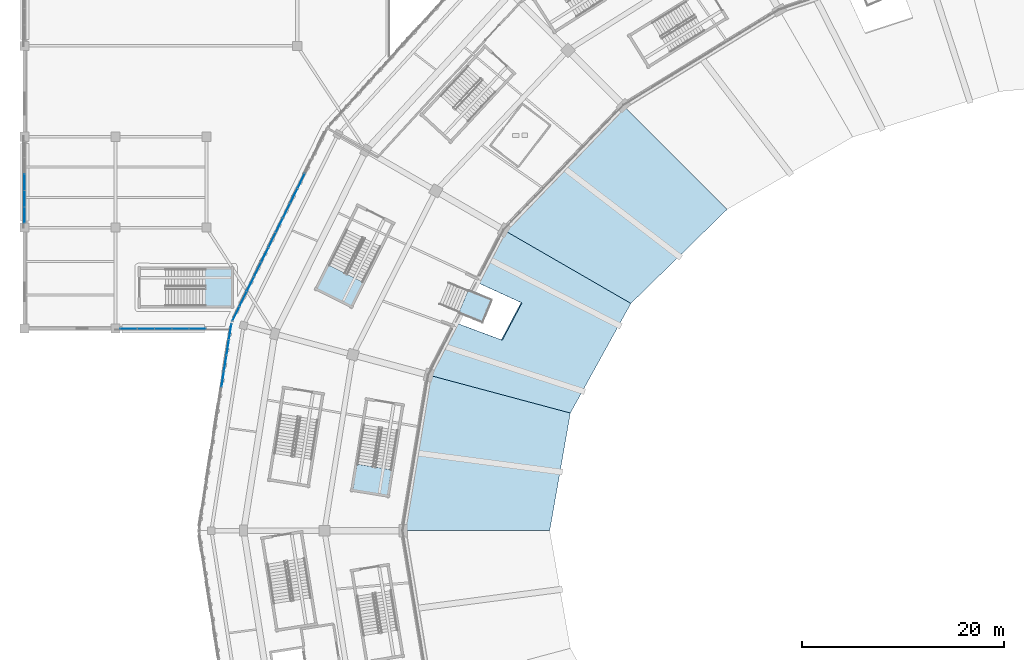
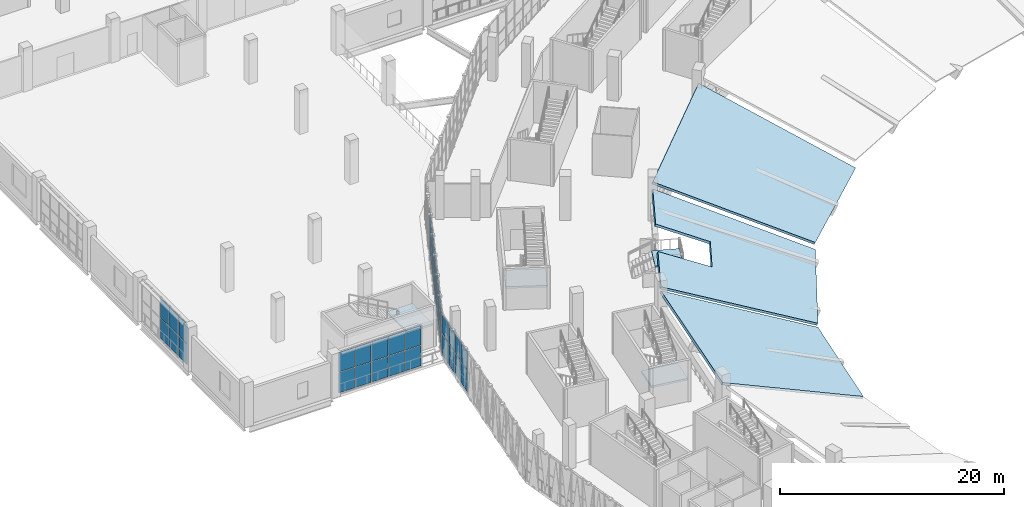
# One storey, part 78 of 183: 44 plates, 7 slabs, 8 elements without a shape of their own.
"""IFC4 building model written with IfcOpenShell, lengths in metres."""

from ifc_helpers import new_model, si_unit, direction, frame, origin, origin_2d, place, context, subcontext, project, spatial, polyline, rectangle, outline, extrude, material, layer, layer_set, type_object, element, aggregate, save


model = new_model("IFC4")

# Units and contexts
model_context = context("Model", 3, precision=1e-05, world=origin(), true_north=direction((0.0, 1.0)))
body_context = subcontext(model_context, "Body", "Model", "MODEL_VIEW")
ifc_project = project(units=[si_unit("LENGTHUNIT", "METRE"), si_unit("AREAUNIT", "SQUARE_METRE"), si_unit("VOLUMEUNIT", "CUBIC_METRE"), si_unit("PLANEANGLEUNIT", "RADIAN"), si_unit("MASSUNIT", "GRAM", prefix="KILO")], contexts=[model_context])

# Site, building, storey
site_placement = place(None, origin())
site = spatial("IfcSite", under=ifc_project, at=site_placement, CompositionType="ELEMENT")
building_placement = place(site_placement, origin())
building = spatial("IfcBuilding", under=site, at=building_placement, Name="Zevraka Park Crest Stadium", CompositionType="ELEMENT")
storey_placement = place(building_placement, frame((0.0, 0.0, 5.39990234375)))
storey = spatial("IfcBuildingStorey", under=building, at=storey_placement, Name="L01", CompositionType="ELEMENT", Elevation=5.39990234375)

# Curtain wall, plates
ifc_material_1 = material(Name="Anodised architectural aluminium and laminated safety glass", Category="aluminium")
curtain_wall_type_1 = type_object("IfcCurtainWallType", Name="CW01", PredefinedType="NOTDEFINED", material=ifc_material_1)
curtain_wall_1_placement = place(storey_placement, origin())
curtain_wall_1 = element("IfcCurtainWall", 1, at=curtain_wall_1_placement, inside=storey, type_object=curtain_wall_type_1, Name="Unitised Ring Curtain Wall CW01 L01-11", PredefinedType="NOTDEFINED")
ifc_material_2 = material(Name="Solar-control laminated double glazing", Category="glass")
ifc_layer_1 = layer(ifc_material_2, 0.028076171875)
ifc_layer_set_1 = layer_set([ifc_layer_1], Name="Solar-control laminated double glazing")
plate_type_1 = type_object("IfcPlateType", Name="CP01", PredefinedType="CURTAIN_PANEL", material=ifc_layer_set_1)
plate_1_placement = place(storey_placement, frame((20.362060546875, 111.704345703125, 0.06005859375), z_axis=(0.0, 0.0, 1.0), x_axis=(-0.154475977394, -0.987996544735, 0.0)))
plate_1 = element("IfcPlate", 2, at=plate_1_placement, type_object=plate_type_1, Name="CW01 panel 1.1", PredefinedType="CURTAIN_PANEL", context=body_context, shape_type="SweptSolid", body=[
    extrude(rectangle(XDim=1.49658203125, YDim=0.028076171875, at=origin_2d()), origin(), (0.0, 0.0, 1.0), 2.31005859375),
])
plate_2_placement = place(storey_placement, frame((20.362060546875, 111.704345703125, 2.43017578125), z_axis=(0.0, 0.0, 1.0), x_axis=(-0.154475977394, -0.987996544735, 0.0)))
plate_2 = element("IfcPlate", 3, at=plate_2_placement, type_object=plate_type_1, Name="CW01 panel 1.2", PredefinedType="CURTAIN_PANEL", context=body_context, shape_type="SweptSolid", body=[
    extrude(rectangle(XDim=1.49658203125, YDim=0.028076171875, at=origin_2d()), origin(), (0.0, 0.0, 1.0), 2.030029296875),
])
plate_3_placement = place(storey_placement, frame((20.119384765625, 110.15185546875, 0.06005859375), z_axis=(0.0, 0.0, 1.0), x_axis=(-0.154475977394, -0.987996544735, 0.0)))
plate_3 = element("IfcPlate", 4, at=plate_3_placement, type_object=plate_type_1, Name="CW01 panel 2.1", PredefinedType="CURTAIN_PANEL", context=body_context, shape_type="SweptSolid", body=[
    extrude(rectangle(XDim=1.526611328125, YDim=0.028076171875, at=origin_2d()), origin(), (0.0, 0.0, 1.0), 2.31005859375),
])
plate_4_placement = place(storey_placement, frame((20.119384765625, 110.15185546875, 2.43017578125), z_axis=(0.0, 0.0, 1.0), x_axis=(-0.154475977394, -0.987996544735, 0.0)))
plate_4 = element("IfcPlate", 5, at=plate_4_placement, type_object=plate_type_1, Name="CW01 panel 2.2", PredefinedType="CURTAIN_PANEL", context=body_context, shape_type="SweptSolid", body=[
    extrude(rectangle(XDim=1.526611328125, YDim=0.028076171875, at=origin_2d()), origin(), (0.0, 0.0, 1.0), 2.030029296875),
])
plate_5_placement = place(storey_placement, frame((19.874267578125, 108.584228515625, 0.06005859375), z_axis=(0.0, 0.0, 1.0), x_axis=(-0.154475977394, -0.987996544735, 0.0)))
plate_5 = element("IfcPlate", 6, at=plate_5_placement, type_object=plate_type_1, Name="CW01 panel 3.1", PredefinedType="CURTAIN_PANEL", context=body_context, shape_type="SweptSolid", body=[
    extrude(rectangle(XDim=1.526611328125, YDim=0.028076171875, at=origin_2d()), origin(), (0.0, 0.0, 1.0), 2.31005859375),
])
plate_6_placement = place(storey_placement, frame((19.874267578125, 108.584228515625, 2.43017578125), z_axis=(0.0, 0.0, 1.0), x_axis=(-0.154475977394, -0.987996544735, 0.0)))
plate_6 = element("IfcPlate", 7, at=plate_6_placement, type_object=plate_type_1, Name="CW01 panel 3.2", PredefinedType="CURTAIN_PANEL", context=body_context, shape_type="SweptSolid", body=[
    extrude(rectangle(XDim=1.526611328125, YDim=0.028076171875, at=origin_2d()), origin(), (0.0, 0.0, 1.0), 2.030029296875),
])
plate_7_placement = place(storey_placement, frame((19.629150390625, 107.016845703125, 0.06005859375), z_axis=(0.0, 0.0, 1.0), x_axis=(-0.154475977394, -0.987996544735, 0.0)))
plate_7 = element("IfcPlate", 8, at=plate_7_placement, type_object=plate_type_1, Name="CW01 panel 4.1", PredefinedType="CURTAIN_PANEL", context=body_context, shape_type="SweptSolid", body=[
    extrude(rectangle(XDim=1.526611328125, YDim=0.028076171875, at=origin_2d()), origin(), (0.0, 0.0, 1.0), 2.31005859375),
])
plate_8_placement = place(storey_placement, frame((19.629150390625, 107.016845703125, 2.43017578125), z_axis=(0.0, 0.0, 1.0), x_axis=(-0.154475977394, -0.987996544735, 0.0)))
plate_8 = element("IfcPlate", 9, at=plate_8_placement, type_object=plate_type_1, Name="CW01 panel 4.2", PredefinedType="CURTAIN_PANEL", context=body_context, shape_type="SweptSolid", body=[
    extrude(rectangle(XDim=1.526611328125, YDim=0.028076171875, at=origin_2d()), origin(), (0.0, 0.0, 1.0), 2.030029296875),
])
aggregate(curtain_wall_1, [plate_1, plate_2, plate_3, plate_4, plate_5, plate_6, plate_7, plate_8])

ifc_material_3 = material(Name="Anodised architectural aluminium and laminated safety glass", Category="aluminium")
curtain_wall_type_2 = type_object("IfcCurtainWallType", Name="CW02", PredefinedType="NOTDEFINED", material=ifc_material_3)
curtain_wall_2_placement = place(storey_placement, origin())
curtain_wall_2 = element("IfcCurtainWall", 10, at=curtain_wall_2_placement, inside=storey, type_object=curtain_wall_type_2, Name="Unitised Ring Curtain Wall CW02 L01-10", PredefinedType="NOTDEFINED")
ifc_material_4 = material(Name="Solar-control laminated double glazing", Category="glass")
ifc_layer_2 = layer(ifc_material_4, 0.028076171875)
ifc_layer_set_2 = layer_set([ifc_layer_2], Name="Solar-control laminated double glazing")
plate_type_2 = type_object("IfcPlateType", Name="CP02", PredefinedType="CURTAIN_PANEL", material=ifc_layer_set_2)
plate_9_placement = place(storey_placement, frame((27.39453125, 126.625, 0.06494140625), z_axis=(0.0, 0.0, 1.0), x_axis=(-0.44151730924, -0.897252732312, 0.0)))
plate_9 = element("IfcPlate", 11, at=plate_9_placement, type_object=plate_type_2, Name="CW02 panel 4.1", PredefinedType="CURTAIN_PANEL", context=body_context, shape_type="SweptSolid", body=[
    extrude(rectangle(XDim=1.5634765625, YDim=0.028076171875, at=origin_2d()), origin(), (0.0, 0.0, 1.0), 2.302490234375),
])
plate_10_placement = place(storey_placement, frame((27.39453125, 126.625, 2.4326171875), z_axis=(0.0, 0.0, 1.0), x_axis=(-0.44151730924, -0.897252732312, 0.0)))
plate_10 = element("IfcPlate", 12, at=plate_10_placement, type_object=plate_type_2, Name="CW02 panel 4.2", PredefinedType="CURTAIN_PANEL", context=body_context, shape_type="SweptSolid", body=[
    extrude(rectangle(XDim=1.5634765625, YDim=0.028076171875, at=origin_2d()), origin(), (0.0, 0.0, 1.0), 2.0224609375),
])
plate_11_placement = place(storey_placement, frame((26.675537109375, 125.163818359375, 0.06494140625), z_axis=(0.0, 0.0, 1.0), x_axis=(-0.44151730924, -0.897252732312, 0.0)))
plate_11 = element("IfcPlate", 13, at=plate_11_placement, type_object=plate_type_2, Name="CW02 panel 5.1", PredefinedType="CURTAIN_PANEL", context=body_context, shape_type="SweptSolid", body=[
    extrude(rectangle(XDim=1.5634765625, YDim=0.028076171875, at=origin_2d()), origin(), (0.0, 0.0, 1.0), 2.302490234375),
])
plate_12_placement = place(storey_placement, frame((26.675537109375, 125.163818359375, 2.4326171875), z_axis=(0.0, 0.0, 1.0), x_axis=(-0.44151730924, -0.897252732312, 0.0)))
plate_12 = element("IfcPlate", 14, at=plate_12_placement, type_object=plate_type_2, Name="CW02 panel 5.2", PredefinedType="CURTAIN_PANEL", context=body_context, shape_type="SweptSolid", body=[
    extrude(rectangle(XDim=1.5634765625, YDim=0.028076171875, at=origin_2d()), origin(), (0.0, 0.0, 1.0), 2.0224609375),
])
plate_13_placement = place(storey_placement, frame((25.95654296875, 123.70263671875, 0.06494140625), z_axis=(0.0, 0.0, 1.0), x_axis=(-0.44151730924, -0.897252732312, 0.0)))
plate_13 = element("IfcPlate", 15, at=plate_13_placement, type_object=plate_type_2, Name="CW02 panel 6.1", PredefinedType="CURTAIN_PANEL", context=body_context, shape_type="SweptSolid", body=[
    extrude(rectangle(XDim=1.5634765625, YDim=0.028076171875, at=origin_2d()), origin(), (0.0, 0.0, 1.0), 2.302490234375),
])
plate_14_placement = place(storey_placement, frame((25.95654296875, 123.70263671875, 2.4326171875), z_axis=(0.0, 0.0, 1.0), x_axis=(-0.44151730924, -0.897252732312, 0.0)))
plate_14 = element("IfcPlate", 16, at=plate_14_placement, type_object=plate_type_2, Name="CW02 panel 6.2", PredefinedType="CURTAIN_PANEL", context=body_context, shape_type="SweptSolid", body=[
    extrude(rectangle(XDim=1.5634765625, YDim=0.028076171875, at=origin_2d()), origin(), (0.0, 0.0, 1.0), 2.0224609375),
])
plate_15_placement = place(storey_placement, frame((25.237548828125, 122.241455078125, 0.06494140625), z_axis=(0.0, 0.0, 1.0), x_axis=(-0.44151730924, -0.897252732312, 0.0)))
plate_15 = element("IfcPlate", 17, at=plate_15_placement, type_object=plate_type_2, Name="CW02 panel 7.1", PredefinedType="CURTAIN_PANEL", context=body_context, shape_type="SweptSolid", body=[
    extrude(rectangle(XDim=1.5634765625, YDim=0.028076171875, at=origin_2d()), origin(), (0.0, 0.0, 1.0), 2.302490234375),
])
plate_16_placement = place(storey_placement, frame((25.237548828125, 122.241455078125, 2.4326171875), z_axis=(0.0, 0.0, 1.0), x_axis=(-0.44151730924, -0.897252732312, 0.0)))
plate_16 = element("IfcPlate", 18, at=plate_16_placement, type_object=plate_type_2, Name="CW02 panel 7.2", PredefinedType="CURTAIN_PANEL", context=body_context, shape_type="SweptSolid", body=[
    extrude(rectangle(XDim=1.5634765625, YDim=0.028076171875, at=origin_2d()), origin(), (0.0, 0.0, 1.0), 2.0224609375),
])
plate_17_placement = place(storey_placement, frame((24.5185546875, 120.7802734375, 0.06494140625), z_axis=(0.0, 0.0, 1.0), x_axis=(-0.44151730924, -0.897252732312, 0.0)))
plate_17 = element("IfcPlate", 19, at=plate_17_placement, type_object=plate_type_2, Name="CW02 panel 8.1", PredefinedType="CURTAIN_PANEL", context=body_context, shape_type="SweptSolid", body=[
    extrude(rectangle(XDim=1.5634765625, YDim=0.028076171875, at=origin_2d()), origin(), (0.0, 0.0, 1.0), 2.302490234375),
])
plate_18_placement = place(storey_placement, frame((24.5185546875, 120.7802734375, 2.4326171875), z_axis=(0.0, 0.0, 1.0), x_axis=(-0.44151730924, -0.897252732312, 0.0)))
plate_18 = element("IfcPlate", 20, at=plate_18_placement, type_object=plate_type_2, Name="CW02 panel 8.2", PredefinedType="CURTAIN_PANEL", context=body_context, shape_type="SweptSolid", body=[
    extrude(rectangle(XDim=1.5634765625, YDim=0.028076171875, at=origin_2d()), origin(), (0.0, 0.0, 1.0), 2.0224609375),
])
plate_19_placement = place(storey_placement, frame((23.799560546875, 119.319091796875, 0.06494140625), z_axis=(0.0, 0.0, 1.0), x_axis=(-0.44151730924, -0.897252732312, 0.0)))
plate_19 = element("IfcPlate", 21, at=plate_19_placement, type_object=plate_type_2, Name="CW02 panel 9.1", PredefinedType="CURTAIN_PANEL", context=body_context, shape_type="SweptSolid", body=[
    extrude(rectangle(XDim=1.5634765625, YDim=0.028076171875, at=origin_2d()), origin(), (0.0, 0.0, 1.0), 2.302490234375),
])
plate_20_placement = place(storey_placement, frame((23.799560546875, 119.319091796875, 2.4326171875), z_axis=(0.0, 0.0, 1.0), x_axis=(-0.44151730924, -0.897252732312, 0.0)))
plate_20 = element("IfcPlate", 22, at=plate_20_placement, type_object=plate_type_2, Name="CW02 panel 9.2", PredefinedType="CURTAIN_PANEL", context=body_context, shape_type="SweptSolid", body=[
    extrude(rectangle(XDim=1.5634765625, YDim=0.028076171875, at=origin_2d()), origin(), (0.0, 0.0, 1.0), 2.0224609375),
])
plate_21_placement = place(storey_placement, frame((23.08056640625, 117.858154296875, 0.06494140625), z_axis=(0.0, 0.0, 1.0), x_axis=(-0.44151730924, -0.897252732312, 0.0)))
plate_21 = element("IfcPlate", 23, at=plate_21_placement, type_object=plate_type_2, Name="CW02 panel 10.1", PredefinedType="CURTAIN_PANEL", context=body_context, shape_type="SweptSolid", body=[
    extrude(rectangle(XDim=1.5634765625, YDim=0.028076171875, at=origin_2d()), origin(), (0.0, 0.0, 1.0), 2.302490234375),
])
plate_22_placement = place(storey_placement, frame((23.08056640625, 117.858154296875, 2.4326171875), z_axis=(0.0, 0.0, 1.0), x_axis=(-0.44151730924, -0.897252732312, 0.0)))
plate_22 = element("IfcPlate", 24, at=plate_22_placement, type_object=plate_type_2, Name="CW02 panel 10.2", PredefinedType="CURTAIN_PANEL", context=body_context, shape_type="SweptSolid", body=[
    extrude(rectangle(XDim=1.5634765625, YDim=0.028076171875, at=origin_2d()), origin(), (0.0, 0.0, 1.0), 2.0224609375),
])
plate_23_placement = place(storey_placement, frame((22.361572265625, 116.39697265625, 0.06494140625), z_axis=(0.0, 0.0, 1.0), x_axis=(-0.44151730924, -0.897252732312, 0.0)))
plate_23 = element("IfcPlate", 25, at=plate_23_placement, type_object=plate_type_2, Name="CW02 panel 11.1", PredefinedType="CURTAIN_PANEL", context=body_context, shape_type="SweptSolid", body=[
    extrude(rectangle(XDim=1.5634765625, YDim=0.028076171875, at=origin_2d()), origin(), (0.0, 0.0, 1.0), 2.302490234375),
])
plate_24_placement = place(storey_placement, frame((22.361572265625, 116.39697265625, 2.4326171875), z_axis=(0.0, 0.0, 1.0), x_axis=(-0.44151730924, -0.897252732312, 0.0)))
plate_24 = element("IfcPlate", 26, at=plate_24_placement, type_object=plate_type_2, Name="CW02 panel 11.2", PredefinedType="CURTAIN_PANEL", context=body_context, shape_type="SweptSolid", body=[
    extrude(rectangle(XDim=1.5634765625, YDim=0.028076171875, at=origin_2d()), origin(), (0.0, 0.0, 1.0), 2.0224609375),
])
plate_25_placement = place(storey_placement, frame((21.642578125, 114.935791015625, 0.06494140625), z_axis=(0.0, 0.0, 1.0), x_axis=(-0.44151730924, -0.897252732312, 0.0)))
plate_25 = element("IfcPlate", 27, at=plate_25_placement, type_object=plate_type_2, Name="CW02 panel 12.1", PredefinedType="CURTAIN_PANEL", context=body_context, shape_type="SweptSolid", body=[
    extrude(rectangle(XDim=1.5634765625, YDim=0.028076171875, at=origin_2d()), origin(), (0.0, 0.0, 1.0), 2.302490234375),
])
plate_26_placement = place(storey_placement, frame((21.642578125, 114.935791015625, 2.4326171875), z_axis=(0.0, 0.0, 1.0), x_axis=(-0.44151730924, -0.897252732312, 0.0)))
plate_26 = element("IfcPlate", 28, at=plate_26_placement, type_object=plate_type_2, Name="CW02 panel 12.2", PredefinedType="CURTAIN_PANEL", context=body_context, shape_type="SweptSolid", body=[
    extrude(rectangle(XDim=1.5634765625, YDim=0.028076171875, at=origin_2d()), origin(), (0.0, 0.0, 1.0), 2.0224609375),
])
plate_27_placement = place(storey_placement, frame((20.9306640625, 113.4892578125, 0.06494140625), z_axis=(0.0, 0.0, 1.0), x_axis=(-0.44151730924, -0.897252732312, 0.0)))
plate_27 = element("IfcPlate", 29, at=plate_27_placement, type_object=plate_type_2, Name="CW02 panel 13.1", PredefinedType="CURTAIN_PANEL", context=body_context, shape_type="SweptSolid", body=[
    extrude(rectangle(XDim=1.531005859375, YDim=0.028076171875, at=origin_2d()), origin(), (0.0, 0.0, 1.0), 2.302490234375),
])
plate_28_placement = place(storey_placement, frame((20.9306640625, 113.4892578125, 2.4326171875), z_axis=(0.0, 0.0, 1.0), x_axis=(-0.44151730924, -0.897252732312, 0.0)))
plate_28 = element("IfcPlate", 30, at=plate_28_placement, type_object=plate_type_2, Name="CW02 panel 13.2", PredefinedType="CURTAIN_PANEL", context=body_context, shape_type="SweptSolid", body=[
    extrude(rectangle(XDim=1.531005859375, YDim=0.028076171875, at=origin_2d()), origin(), (0.0, 0.0, 1.0), 2.0224609375),
])
aggregate(curtain_wall_2, [plate_9, plate_10, plate_11, plate_12, plate_13, plate_14, plate_15, plate_16, plate_17, plate_18, plate_19, plate_20, plate_21, plate_22, plate_23, plate_24, plate_25, plate_26, plate_27, plate_28])

ifc_material_5 = material(Name="Anodised architectural aluminium and laminated safety glass", Category="aluminium")
curtain_wall_type_3 = type_object("IfcCurtainWallType", Name="CW28", PredefinedType="NOTDEFINED", material=ifc_material_5)
curtain_wall_3_placement = place(storey_placement, origin())
curtain_wall_3 = element("IfcCurtainWall", 31, at=curtain_wall_3_placement, inside=storey, type_object=curtain_wall_type_3, Name="Wing Curtain Wall CW28 L01-NW-W-2", PredefinedType="NOTDEFINED")
ifc_material_6 = material(Name="Solar-control laminated double glazing", Category="glass")
ifc_layer_3 = layer(ifc_material_6, 0.035888671875)
ifc_layer_set_3 = layer_set([ifc_layer_3], Name="Solar-control laminated double glazing")
plate_type_3 = type_object("IfcPlateType", Name="CP28", PredefinedType="CURTAIN_PANEL", material=ifc_layer_set_3)
plate_29_placement = place(storey_placement, frame((0.0, 123.26708984375, 0.06005859375), z_axis=(0.0, 0.0, 1.0), x_axis=(0.0, 1.0, 0.0)))
plate_29 = element("IfcPlate", 32, at=plate_29_placement, type_object=plate_type_3, Name="CW28 panel 1.1", PredefinedType="CURTAIN_PANEL", context=body_context, shape_type="SweptSolid", body=[
    extrude(rectangle(XDim=1.533935546875, YDim=0.035888671875, at=origin_2d()), origin(), (0.0, 0.0, 1.0), 2.2099609375),
])
plate_30_placement = place(storey_placement, frame((0.0, 123.26708984375, 2.330078125), z_axis=(0.0, 0.0, 1.0), x_axis=(0.0, 1.0, 0.0)))
plate_30 = element("IfcPlate", 33, at=plate_30_placement, type_object=plate_type_3, Name="CW28 panel 1.2", PredefinedType="CURTAIN_PANEL", context=body_context, shape_type="SweptSolid", body=[
    extrude(rectangle(XDim=1.533935546875, YDim=0.035888671875, at=origin_2d()), origin(), (0.0, 0.0, 1.0), 2.1298828125),
])
plate_31_placement = place(storey_placement, frame((0.0, 124.8759765625, 0.06005859375), z_axis=(0.0, 0.0, 1.0), x_axis=(0.0, 1.0, 0.0)))
plate_31 = element("IfcPlate", 34, at=plate_31_placement, type_object=plate_type_3, Name="CW28 panel 2.1", PredefinedType="CURTAIN_PANEL", context=body_context, shape_type="SweptSolid", body=[
    extrude(rectangle(XDim=1.56396484375, YDim=0.035888671875, at=origin_2d()), origin(), (0.0, 0.0, 1.0), 2.2099609375),
])
plate_32_placement = place(storey_placement, frame((0.0, 124.8759765625, 2.330078125), z_axis=(0.0, 0.0, 1.0), x_axis=(0.0, 1.0, 0.0)))
plate_32 = element("IfcPlate", 35, at=plate_32_placement, type_object=plate_type_3, Name="CW28 panel 2.2", PredefinedType="CURTAIN_PANEL", context=body_context, shape_type="SweptSolid", body=[
    extrude(rectangle(XDim=1.56396484375, YDim=0.035888671875, at=origin_2d()), origin(), (0.0, 0.0, 1.0), 2.1298828125),
])
plate_33_placement = place(storey_placement, frame((0.0, 126.5, 0.06005859375), z_axis=(0.0, 0.0, 1.0), x_axis=(0.0, 1.0, 0.0)))
plate_33 = element("IfcPlate", 36, at=plate_33_placement, type_object=plate_type_3, Name="CW28 panel 3.1", PredefinedType="CURTAIN_PANEL", context=body_context, shape_type="SweptSolid", body=[
    extrude(rectangle(XDim=1.56396484375, YDim=0.035888671875, at=origin_2d()), origin(), (0.0, 0.0, 1.0), 2.2099609375),
])
plate_34_placement = place(storey_placement, frame((0.0, 126.5, 2.330078125), z_axis=(0.0, 0.0, 1.0), x_axis=(0.0, 1.0, 0.0)))
plate_34 = element("IfcPlate", 37, at=plate_34_placement, type_object=plate_type_3, Name="CW28 panel 3.2", PredefinedType="CURTAIN_PANEL", context=body_context, shape_type="SweptSolid", body=[
    extrude(rectangle(XDim=1.56396484375, YDim=0.035888671875, at=origin_2d()), origin(), (0.0, 0.0, 1.0), 2.1298828125),
])
aggregate(curtain_wall_3, [plate_29, plate_30, plate_31, plate_32, plate_33, plate_34])

curtain_wall_4_placement = place(storey_placement, origin())
curtain_wall_4 = element("IfcCurtainWall", 38, at=curtain_wall_4_placement, inside=storey, type_object=curtain_wall_type_3, Name="Wing Curtain Wall CW28 L01-NW-S0-2", PredefinedType="NOTDEFINED")
plate_35_placement = place(storey_placement, frame((17.142578125, 112.0, 0.06005859375), z_axis=(0.0, 0.0, 1.0), x_axis=(-1.0, 0.0, 0.0)))
plate_35 = element("IfcPlate", 39, at=plate_35_placement, type_object=plate_type_3, Name="CW28 panel 1.1", PredefinedType="CURTAIN_PANEL", context=body_context, shape_type="SweptSolid", body=[
    extrude(rectangle(XDim=1.625, YDim=0.035888671875, at=origin_2d()), origin(), (0.0, 0.0, 1.0), 2.2099609375),
])
plate_36_placement = place(storey_placement, frame((17.142578125, 112.0, 2.330078125), z_axis=(0.0, 0.0, 1.0), x_axis=(-1.0, 0.0, 0.0)))
plate_36 = element("IfcPlate", 40, at=plate_36_placement, type_object=plate_type_3, Name="CW28 panel 1.2", PredefinedType="CURTAIN_PANEL", context=body_context, shape_type="SweptSolid", body=[
    extrude(rectangle(XDim=1.625, YDim=0.035888671875, at=origin_2d()), origin(), (0.0, 0.0, 1.0), 2.1298828125),
])
plate_37_placement = place(storey_placement, frame((15.4423828125, 112.0, 0.06005859375), z_axis=(0.0, 0.0, 1.0), x_axis=(-1.0, 0.0, 0.0)))
plate_37 = element("IfcPlate", 41, at=plate_37_placement, type_object=plate_type_3, Name="CW28 panel 2.1", PredefinedType="CURTAIN_PANEL", context=body_context, shape_type="SweptSolid", body=[
    extrude(rectangle(XDim=1.655029296875, YDim=0.035888671875, at=origin_2d()), origin(), (0.0, 0.0, 1.0), 2.2099609375),
])
plate_38_placement = place(storey_placement, frame((15.4423828125, 112.0, 2.330078125), z_axis=(0.0, 0.0, 1.0), x_axis=(-1.0, 0.0, 0.0)))
plate_38 = element("IfcPlate", 42, at=plate_38_placement, type_object=plate_type_3, Name="CW28 panel 2.2", PredefinedType="CURTAIN_PANEL", context=body_context, shape_type="SweptSolid", body=[
    extrude(rectangle(XDim=1.655029296875, YDim=0.035888671875, at=origin_2d()), origin(), (0.0, 0.0, 1.0), 2.1298828125),
])
plate_39_placement = place(storey_placement, frame((13.7275390625, 112.0, 0.06005859375), z_axis=(0.0, 0.0, 1.0), x_axis=(-1.0, 0.0, 0.0)))
plate_39 = element("IfcPlate", 43, at=plate_39_placement, type_object=plate_type_3, Name="CW28 panel 3.1", PredefinedType="CURTAIN_PANEL", context=body_context, shape_type="SweptSolid", body=[
    extrude(rectangle(XDim=1.655029296875, YDim=0.035888671875, at=origin_2d()), origin(), (0.0, 0.0, 1.0), 2.2099609375),
])
plate_40_placement = place(storey_placement, frame((13.7275390625, 112.0, 2.330078125), z_axis=(0.0, 0.0, 1.0), x_axis=(-1.0, 0.0, 0.0)))
plate_40 = element("IfcPlate", 44, at=plate_40_placement, type_object=plate_type_3, Name="CW28 panel 3.2", PredefinedType="CURTAIN_PANEL", context=body_context, shape_type="SweptSolid", body=[
    extrude(rectangle(XDim=1.655029296875, YDim=0.035888671875, at=origin_2d()), origin(), (0.0, 0.0, 1.0), 2.1298828125),
])
plate_41_placement = place(storey_placement, frame((12.012451171875, 112.0, 0.06005859375), z_axis=(0.0, 0.0, 1.0), x_axis=(-1.0, 0.0, 0.0)))
plate_41 = element("IfcPlate", 45, at=plate_41_placement, type_object=plate_type_3, Name="CW28 panel 4.1", PredefinedType="CURTAIN_PANEL", context=body_context, shape_type="SweptSolid", body=[
    extrude(rectangle(XDim=1.655029296875, YDim=0.035888671875, at=origin_2d()), origin(), (0.0, 0.0, 1.0), 2.2099609375),
])
plate_42_placement = place(storey_placement, frame((12.012451171875, 112.0, 2.330078125), z_axis=(0.0, 0.0, 1.0), x_axis=(-1.0, 0.0, 0.0)))
plate_42 = element("IfcPlate", 46, at=plate_42_placement, type_object=plate_type_3, Name="CW28 panel 4.2", PredefinedType="CURTAIN_PANEL", context=body_context, shape_type="SweptSolid", body=[
    extrude(rectangle(XDim=1.655029296875, YDim=0.035888671875, at=origin_2d()), origin(), (0.0, 0.0, 1.0), 2.1298828125),
])
plate_43_placement = place(storey_placement, frame((10.3125, 112.0, 0.06005859375), z_axis=(0.0, 0.0, 1.0), x_axis=(-1.0, 0.0, 0.0)))
plate_43 = element("IfcPlate", 47, at=plate_43_placement, type_object=plate_type_3, Name="CW28 panel 5.1", PredefinedType="CURTAIN_PANEL", context=body_context, shape_type="SweptSolid", body=[
    extrude(rectangle(XDim=1.625, YDim=0.035888671875, at=origin_2d()), origin(), (0.0, 0.0, 1.0), 2.2099609375),
])
plate_44_placement = place(storey_placement, frame((10.3125, 112.0, 2.330078125), z_axis=(0.0, 0.0, 1.0), x_axis=(-1.0, 0.0, 0.0)))
plate_44 = element("IfcPlate", 48, at=plate_44_placement, type_object=plate_type_3, Name="CW28 panel 5.2", PredefinedType="CURTAIN_PANEL", context=body_context, shape_type="SweptSolid", body=[
    extrude(rectangle(XDim=1.625, YDim=0.035888671875, at=origin_2d()), origin(), (0.0, 0.0, 1.0), 2.1298828125),
])
aggregate(curtain_wall_4, [plate_35, plate_36, plate_37, plate_38, plate_39, plate_40, plate_41, plate_42, plate_43, plate_44])

# Stair, slab
ifc_material_7 = material(Name="Concrete C35/45", Category="concrete")
stair_type_1 = type_object("IfcStairType", Name="STA2", PredefinedType="HALF_TURN_STAIR", material=ifc_material_7)
stair_1_placement = place(storey_placement, origin())
stair_1 = element("IfcStair", 49, at=stair_1_placement, inside=storey, type_object=stair_type_1, Name="L01 Protected Concourse Exit Stair ST11", PredefinedType="HALF_TURN_STAIR")
ifc_material_8 = material(Name="Concrete C35/45", Category="concrete")
ifc_layer_4 = layer(ifc_material_8, 0.199951171875)
ifc_layer_set_4 = layer_set([ifc_layer_4], Name="Concrete C35/45")
slab_type_1 = type_object("IfcSlabType", Name="LS01", PredefinedType="LANDING", material=ifc_layer_set_4)
slab_1_placement = place(storey_placement, frame((0.0, 0.0, 2.2001953125)))
slab_1 = element("IfcSlab", 50, at=slab_1_placement, type_object=slab_type_1, Name="ST11 landing 1", PredefinedType="LANDING", context=body_context, shape_type="SweptSolid", body=[
    extrude(outline(polyline([(30.138427734375, 118.296142578125), (28.969482421875, 115.962646484375), (32.3310546875, 114.278564453125), (33.500244140625, 116.612060546875), (30.138427734375, 118.296142578125)])), origin(), (0.0, 0.0, 1.0), 0.199951171875),
])
aggregate(stair_1, [slab_1])

ifc_material_9 = material(Name="Concrete C35/45", Category="concrete")
stair_type_2 = type_object("IfcStairType", Name="STB2", PredefinedType="HALF_TURN_STAIR", material=ifc_material_9)
stair_2_placement = place(storey_placement, origin())
stair_2 = element("IfcStair", 51, at=stair_2_placement, inside=storey, type_object=stair_type_2, Name="L01 Protected Concourse Relief Stair ST38", PredefinedType="HALF_TURN_STAIR")
slab_2_placement = place(storey_placement, frame((0.0, 0.0, 2.2001953125)))
slab_2 = element("IfcSlab", 52, at=slab_2_placement, type_object=slab_type_1, Name="ST38 landing 1", PredefinedType="LANDING", context=body_context, shape_type="SweptSolid", body=[
    extrude(outline(polyline([(32.921142578125, 98.593017578125), (32.509765625, 96.06640625), (35.9248046875, 95.51025390625), (36.336181640625, 98.037109375), (32.921142578125, 98.593017578125)])), origin(), (0.0, 0.0, 1.0), 0.199951171875),
])
aggregate(stair_2, [slab_2])

ifc_material_10 = material(Name="Concrete C35/45", Category="concrete")
stair_type_3 = type_object("IfcStairType", Name="STC2", PredefinedType="HALF_TURN_STAIR", material=ifc_material_10)
stair_3_placement = place(storey_placement, origin())
stair_3 = element("IfcStair", 53, at=stair_3_placement, inside=storey, type_object=stair_type_3, Name="L01 NW Veranda Wing South-West Stair ST48", PredefinedType="HALF_TURN_STAIR")
slab_3_placement = place(storey_placement, frame((0.0, 0.0, 2.2001953125)))
slab_3 = element("IfcSlab", 54, at=slab_3_placement, type_object=slab_type_1, Name="ST48 landing 1", PredefinedType="LANDING", context=body_context, shape_type="SweptSolid", body=[
    extrude(outline(polyline([(17.889892578125, 114.25), (20.5, 114.25), (20.5, 117.909912109375), (17.889892578125, 117.909912109375), (17.889892578125, 114.25)])), origin(), (0.0, 0.0, 1.0), 0.199951171875),
])
aggregate(stair_3, [slab_3])

ifc_material_11 = material(Name="Concrete C35/45", Category="concrete")
stair_type_4 = type_object("IfcStairType", Name="VST1", PredefinedType="STRAIGHT_RUN_STAIR", material=ifc_material_11)
stair_4_placement = place(storey_placement, origin())
stair_4 = element("IfcStair", 55, at=stair_4_placement, inside=storey, type_object=stair_type_4, Name="Vomitory Stair VS-04", PredefinedType="STRAIGHT_RUN_STAIR")
ifc_material_12 = material(Name="Concrete C35/45", Category="concrete")
ifc_layer_5 = layer(ifc_material_12, 0.179931640625)
ifc_layer_set_5 = layer_set([ifc_layer_5], Name="Concrete C35/45")
slab_type_2 = type_object("IfcSlabType", Name="LS02", PredefinedType="LANDING", material=ifc_layer_set_5)
slab_4_placement = place(storey_placement, frame((0.0, 0.0, 1.02001953125)))
slab_4 = element("IfcSlab", 56, at=slab_4_placement, type_object=slab_type_2, Name="VST1 landing 1", PredefinedType="LANDING", context=body_context, shape_type="SweptSolid", body=[
    extrude(outline(polyline([(43.0009765625, 113.590087890625), (45.333984375, 112.6240234375), (46.251953125, 114.841064453125), (43.9189453125, 115.80810546875), (43.0009765625, 113.590087890625)])), origin(), (0.0, 0.0, 1.0), 0.18017578125),
])
aggregate(stair_4, [slab_4])

# Slabs
ifc_material_13 = material(Name="Concrete C35/45", Category="concrete")
ifc_layer_6 = layer(ifc_material_13, 0.25)
ifc_layer_set_6 = layer_set([ifc_layer_6], Name="Concrete C35/45")
slab_type_3 = type_object("IfcSlabType", Name="STL1", PredefinedType="USERDEFINED", material=ifc_layer_set_6)
slab_5_placement = place(storey_placement, frame((69.573974609375, 123.820068359375, -3.634033203125), z_axis=(0.331007566991, -0.253992997839, 0.908802259924), x_axis=(-0.7136412327, -0.697490139036, 0.064989975673)))
element("IfcSlab", 57, at=slab_5_placement, inside=storey, type_object=slab_type_3, Name="Lower Tier Raked Seating Slab 09", ObjectType="SEATING TIER", PredefinedType="USERDEFINED", context=body_context, shape_type="SweptSolid", body=[
    extrude(outline(polyline([(0.0, 0.0), (13.362296950487588, -1.3322676295501878e-15), (17.695702713727705, -15.330480986809986), (0.5945203471351611, -15.920105098212314), (0.0, 0.0)])), origin(), (0.0, 0.0, -1.0), 0.25),
])
slab_6_placement = place(storey_placement, frame((60.0380859375, 114.5, -3.517578125), z_axis=(0.385474297041, -0.15967894094, 0.908797118251), x_axis=(-0.482829240661, -0.874216895554, 0.051193201614)))
element("IfcSlab", 58, at=slab_6_placement, inside=storey, type_object=slab_type_3, Name="Lower Tier Raked Seating Slab 10", ObjectType="SEATING TIER", PredefinedType="USERDEFINED", context=body_context, shape_type="SweptSolid", body=[
    extrude(outline(polyline([(0.0, 0.0), (12.414579417833545, -1.6653345369377348e-16), (16.233539442750605, -15.465924950254418), (10.412132509743303, -15.63346623379224), (9.573035504181414, -10.317727313160253), (5.402776338466024, -10.403532438991968), (5.884151086579557, -15.763501241328278), (0.06275665191249302, -15.931143620033351), (0.0, 0.0)])), origin(), (0.0, 0.0, -1.0), 0.25),
])
slab_7_placement = place(storey_placement, frame((54.0439453125, 103.64697265625, -3.316162109375), z_axis=(0.413678354675, -0.054461033566, 0.908792723726), x_axis=(-0.172816474741, -0.984757974906, 0.019651893485)))
element("IfcSlab", 59, at=slab_7_placement, inside=storey, type_object=slab_type_3, Name="Lower Tier Raked Seating Slab 11", ObjectType="SEATING TIER", PredefinedType="USERDEFINED", context=body_context, shape_type="SweptSolid", body=[
    extrude(outline(polyline([(0.0, 0.0), (11.827244160152556, -5.551115123125783e-16), (14.462792257855831, -15.712046272215028), (-1.1457533439015568, -15.889195685552531), (0.0, 0.0)])), origin(), (0.0, 0.0, -1.0), 0.25),
])

save(model, "model.ifc")
